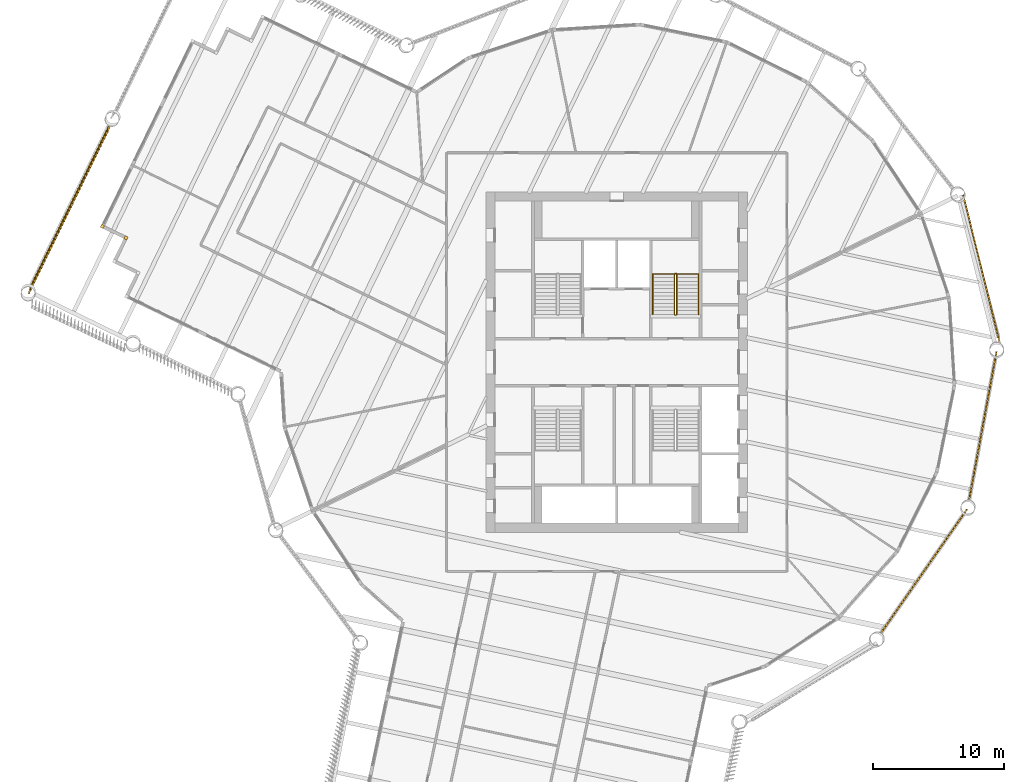
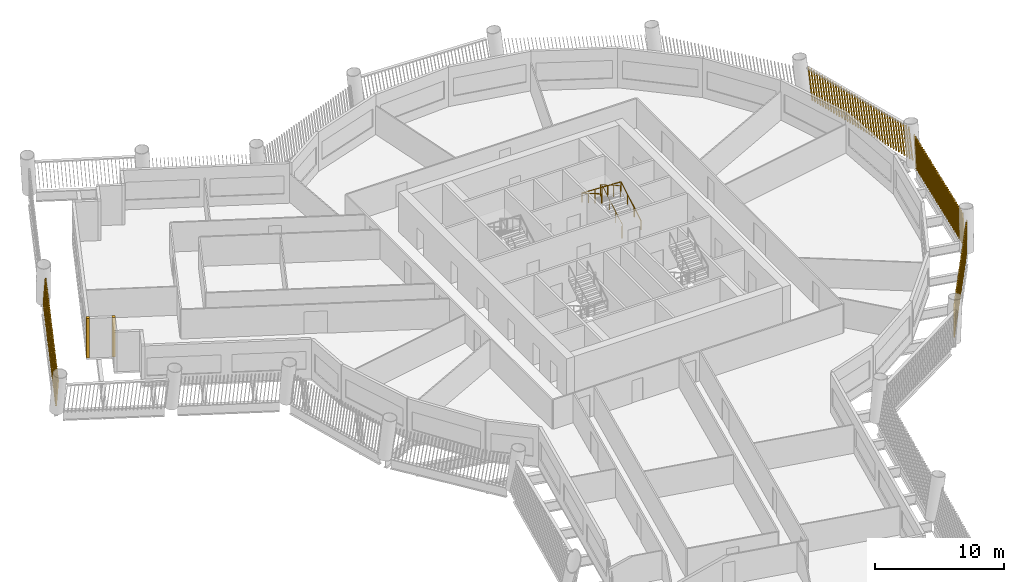
# One storey, part 13 of 15: 6 shading devices, 2 railings.
"""IFC4 building model written with IfcOpenShell, lengths in metres."""

from ifc_helpers import new_model, si_unit, direction, frame, frame_2d, origin, origin_2d, place, context, subcontext, project, spatial, rectangle, circle, composite_profile, extrude, material, type_object, element, save


model = new_model("IFC4")

# Units and contexts
model_context = context("Model", 3, precision=1e-05, world=origin(), true_north=direction((0.0, 1.0)))
body_context = subcontext(model_context, "Body", "Model", "MODEL_VIEW")
ifc_project = project(units=[si_unit("LENGTHUNIT", "METRE"), si_unit("AREAUNIT", "SQUARE_METRE"), si_unit("VOLUMEUNIT", "CUBIC_METRE"), si_unit("PLANEANGLEUNIT", "RADIAN"), si_unit("MASSUNIT", "GRAM", prefix="KILO")], contexts=[model_context])

# Site, building, storey
site_placement = place(None, origin())
site = spatial("IfcSite", under=ifc_project, at=site_placement, CompositionType="ELEMENT")
building_placement = place(site_placement, origin())
building = spatial("IfcBuilding", under=site, at=building_placement, Name="Tarsis Ring Headquarters", CompositionType="ELEMENT")
storey_placement = place(building_placement, frame((0.0, 0.0, 174.89990234375)))
storey = spatial("IfcBuildingStorey", under=building, at=storey_placement, Name="L40", CompositionType="ELEMENT", Elevation=174.89990234375)

# Railings
ifc_material_1 = material(Name="Steel S355", Category="steel")
railing_type_1 = type_object("IfcRailingType", Name="Core stair guard 1100", PredefinedType="GUARDRAIL", material=ifc_material_1)
railing_1_placement = place(storey_placement, frame((4.4599609375, 3.610107421875, 0.0)))
element("IfcRailing", 1, at=railing_1_placement, inside=storey, type_object=railing_type_1, Name="L40 ST2 stair guard 1", PredefinedType="GUARDRAIL", context=body_context, shape_type="SweptSolid", body=[
    extrude(circle(Radius=0.02392578125, at=origin_2d()), frame((0.0, 0.0, 1.076171875), z_axis=(1.0, 0.0, 0.0), x_axis=(0.0, 1.0, 0.0)), (0.0, 0.0, 1.0), 0.080078125),
    extrude(circle(Radius=0.02392578125, at=origin_2d()), frame((0.080078125, 0.0, 1.076171875), z_axis=(0.282336740067, 0.280959487676, 0.917250092119), x_axis=(-0.705375805398, 0.708833529934, 0.0)), (0.0, 0.0, 1.0), 0.17724609375),
    extrude(circle(Radius=0.02392578125, at=origin_2d()), frame((0.130126953125, 0.0498046875, 1.23876953125), z_axis=(0.0, 0.864890721111, 0.501960198159), x_axis=(-1.0, 0.0, 0.0)), (0.0, 0.0, 1.0), 3.561279296875),
    extrude(circle(Radius=0.02392578125, at=origin_2d()), frame((0.130126953125, 3.1298828125, 3.0263671875), z_axis=(-0.707106781187, 0.707106781187, 0.0), x_axis=(-0.707106781187, -0.707106781187, 0.0)), (0.0, 0.0, 1.0), 0.07080078125),
    extrude(circle(Radius=0.02392578125, at=origin_2d()), frame((0.080078125, 3.179931640625, 3.0263671875), z_axis=(-1.0, 0.0, 0.0), x_axis=(0.0, -1.0, 0.0)), (0.0, 0.0, 1.0), 0.080078125),
    extrude(circle(Radius=0.02392578125, at=origin_2d()), frame((0.0, 3.179931640625, 3.0263671875), z_axis=(-0.282583949758, -0.282583949758, 0.916674763849), x_axis=(0.707106781187, -0.707106781187, 0.0)), (0.0, 0.0, 1.0), 0.177001953125),
    extrude(circle(Radius=0.02392578125, at=origin_2d()), frame((-0.050048828125, 3.1298828125, 3.1884765625), z_axis=(0.0, -0.864890721111, 0.501960198159), x_axis=(1.0, 0.0, 0.0)), (0.0, 0.0, 1.0), 3.561279296875),
    extrude(circle(Radius=0.02099609375, at=origin_2d()), origin(), (0.0, 0.0, 1.0), 1.052001953125),
    extrude(circle(Radius=0.02099609375, at=origin_2d()), frame((0.080078125, 0.0, 0.0)), (0.0, 0.0, 1.0), 1.052001953125),
    extrude(circle(Radius=0.02099609375, at=origin_2d()), frame((0.130126953125, 0.0498046875, 0.16259765625)), (0.0, 0.0, 1.0), 1.052001953125),
    extrude(circle(Radius=0.02099609375, at=origin_2d()), frame((0.130126953125, 1.076416015625, 0.758544921875)), (0.0, 0.0, 1.0), 1.052001953125),
    extrude(circle(Radius=0.02099609375, at=origin_2d()), frame((0.130126953125, 2.103271484375, 1.354248046875)), (0.0, 0.0, 1.0), 1.052001953125),
    extrude(circle(Radius=0.02099609375, at=origin_2d()), frame((0.130126953125, 3.1298828125, 1.9501953125)), (0.0, 0.0, 1.0), 1.052001953125),
    extrude(circle(Radius=0.02099609375, at=origin_2d()), frame((0.080078125, 3.179931640625, 1.9501953125)), (0.0, 0.0, 1.0), 1.052001953125),
    extrude(circle(Radius=0.02099609375, at=origin_2d()), frame((0.0, 3.179931640625, 1.9501953125)), (0.0, 0.0, 1.0), 1.052001953125),
    extrude(circle(Radius=0.02099609375, at=origin_2d()), frame((-0.050048828125, 3.1298828125, 2.112548828125)), (0.0, 0.0, 1.0), 1.052001953125),
    extrude(circle(Radius=0.02099609375, at=origin_2d()), frame((-0.050048828125, 2.103271484375, 2.70849609375)), (0.0, 0.0, 1.0), 1.052001953125),
    extrude(circle(Radius=0.02099609375, at=origin_2d()), frame((-0.050048828125, 1.076416015625, 3.30419921875)), (0.0, 0.0, 1.0), 1.052001953125),
    extrude(circle(Radius=0.02099609375, at=origin_2d()), frame((-0.050048828125, 0.0498046875, 3.900146484375)), (0.0, 0.0, 1.0), 1.052001953125),
])
railing_type_2 = type_object("IfcRailingType", Name="Core stair handrail 900", PredefinedType="HANDRAIL", material=ifc_material_1)
railing_2_placement = place(storey_placement, frame((6.25, 3.659912109375, 0.16259765625)))
element("IfcRailing", 2, at=railing_2_placement, inside=storey, type_object=railing_type_2, Name="L40 ST2 stair handrail 1", PredefinedType="HANDRAIL", context=body_context, shape_type="SweptSolid", body=[
    extrude(circle(Radius=0.02392578125, at=origin_2d()), frame((0.0, 0.0, 0.8759765625), z_axis=(0.0, 0.864890721111, 0.501960198159), x_axis=(-1.0, 0.0, 0.0)), (0.0, 0.0, 1.0), 3.561279296875),
    extrude(circle(Radius=0.02392578125, at=origin_2d()), frame((0.0, 3.080078125, 2.66357421875), z_axis=(-0.998925869279, 0.0, 0.04633689335), x_axis=(0.0, -1.0, 0.0)), (0.0, 0.0, 1.0), 3.503662109375),
    extrude(circle(Radius=0.02392578125, at=origin_2d()), frame((-3.5, 3.080078125, 2.82568359375), z_axis=(0.0, -0.864890721111, 0.501960198159), x_axis=(1.0, 0.0, 0.0)), (0.0, 0.0, 1.0), 3.561279296875),
    extrude(circle(Radius=0.02099609375, at=origin_2d()), origin(), (0.0, 0.0, 1.0), 0.851806640625),
    extrude(circle(Radius=0.02099609375, at=origin_2d()), frame((0.0, 1.026611328125, 0.595947265625)), (0.0, 0.0, 1.0), 0.851806640625),
    extrude(circle(Radius=0.02099609375, at=origin_2d()), frame((0.0, 2.053466796875, 1.191650390625)), (0.0, 0.0, 1.0), 0.851806640625),
    extrude(circle(Radius=0.02099609375, at=origin_2d()), frame((0.0, 3.080078125, 1.78759765625)), (0.0, 0.0, 1.0), 0.851806640625),
    extrude(circle(Radius=0.02099609375, at=origin_2d()), frame((-1.166748046875, 3.080078125, 1.841796875)), (0.0, 0.0, 1.0), 0.851806640625),
    extrude(circle(Radius=0.02099609375, at=origin_2d()), frame((-2.333251953125, 3.080078125, 1.895751953125)), (0.0, 0.0, 1.0), 0.851806640625),
    extrude(circle(Radius=0.02099609375, at=origin_2d()), frame((-3.5, 3.080078125, 1.949951171875)), (0.0, 0.0, 1.0), 0.851806640625),
    extrude(circle(Radius=0.02099609375, at=origin_2d()), frame((-3.5, 2.053466796875, 2.5458984375)), (0.0, 0.0, 1.0), 0.851806640625),
    extrude(circle(Radius=0.02099609375, at=origin_2d()), frame((-3.5, 1.026611328125, 3.1416015625)), (0.0, 0.0, 1.0), 0.851806640625),
    extrude(circle(Radius=0.02099609375, at=origin_2d()), frame((-3.5, 0.0, 3.737548828125)), (0.0, 0.0, 1.0), 0.851806640625),
])

# Shading devices
ifc_material_2 = material(Name="Terracotta baguette", Category="masonry")
shading_device_type_1 = type_object("IfcShadingDeviceType", Name="Terracotta baguette screen", PredefinedType="USERDEFINED", material=ifc_material_2)
shading_device_1_placement = place(storey_placement, frame((20.10107421875, -20.829833984375, 0.0), z_axis=(0.0, 0.0, 1.0), x_axis=(0.570960390667, 0.820987520347, 0.0)))
element("IfcShadingDevice", 3, at=shading_device_1_placement, inside=storey, type_object=shading_device_type_1, Name="Baguette screen L40-08", ObjectType="Terracotta baguette screen", PredefinedType="USERDEFINED", context=body_context, shape_type="SweptSolid", body=[
    extrude(composite_profile([rectangle(XDim=0.06005859375, YDim=0.1201171875, at=frame_2d((0.030029296875, 0.0))), rectangle(XDim=0.06005859375, YDim=0.1201171875, at=frame_2d((0.33251953125, 0.0))), rectangle(XDim=0.06005859375, YDim=0.1201171875, at=frame_2d((0.634765625, 0.0))), rectangle(XDim=0.06005859375, YDim=0.1201171875, at=frame_2d((0.937255859375, 0.0))), rectangle(XDim=0.06005859375, YDim=0.1201171875, at=frame_2d((1.239501953125, 0.0))), rectangle(XDim=0.06005859375, YDim=0.1201171875, at=frame_2d((1.5419921875, 0.0))), rectangle(XDim=0.06005859375, YDim=0.1201171875, at=frame_2d((1.844482421875, 0.0))), rectangle(XDim=0.06005859375, YDim=0.1201171875, at=frame_2d((2.146728515625, 0.0))), rectangle(XDim=0.06005859375, YDim=0.1201171875, at=frame_2d((2.44921875, 0.0))), rectangle(XDim=0.06005859375, YDim=0.1201171875, at=frame_2d((2.751708984375, 0.0))), rectangle(XDim=0.06005859375, YDim=0.1201171875, at=frame_2d((3.053955078125, 0.0))), rectangle(XDim=0.06005859375, YDim=0.1201171875, at=frame_2d((3.3564453125, 0.0))), rectangle(XDim=0.06005859375, YDim=0.1201171875, at=frame_2d((3.65869140625, 0.0))), rectangle(XDim=0.06005859375, YDim=0.1201171875, at=frame_2d((3.961181640625, 0.0))), rectangle(XDim=0.06005859375, YDim=0.1201171875, at=frame_2d((4.263671875, 0.0))), rectangle(XDim=0.06005859375, YDim=0.1201171875, at=frame_2d((4.56591796875, 0.0))), rectangle(XDim=0.06005859375, YDim=0.1201171875, at=frame_2d((4.868408203125, 0.0))), rectangle(XDim=0.06005859375, YDim=0.1201171875, at=frame_2d((5.1708984375, 0.0))), rectangle(XDim=0.06005859375, YDim=0.1201171875, at=frame_2d((5.47314453125, 0.0))), rectangle(XDim=0.06005859375, YDim=0.1201171875, at=frame_2d((5.775634765625, 0.0))), rectangle(XDim=0.06005859375, YDim=0.1201171875, at=frame_2d((6.077880859375, 0.0))), rectangle(XDim=0.06005859375, YDim=0.1201171875, at=frame_2d((6.38037109375, 0.0))), rectangle(XDim=0.06005859375, YDim=0.1201171875, at=frame_2d((6.682861328125, 0.0))), rectangle(XDim=0.06005859375, YDim=0.1201171875, at=frame_2d((6.985107421875, 0.0))), rectangle(XDim=0.06005859375, YDim=0.1201171875, at=frame_2d((7.28759765625, 0.0))), rectangle(XDim=0.06005859375, YDim=0.1201171875, at=frame_2d((7.590087890625, 0.0))), rectangle(XDim=0.06005859375, YDim=0.1201171875, at=frame_2d((7.892333984375, 0.0))), rectangle(XDim=0.06005859375, YDim=0.1201171875, at=frame_2d((8.19482421875, 0.0))), rectangle(XDim=0.06005859375, YDim=0.1201171875, at=frame_2d((8.4970703125, 0.0))), rectangle(XDim=0.06005859375, YDim=0.1201171875, at=frame_2d((8.799560546875, 0.0))), rectangle(XDim=0.06005859375, YDim=0.1201171875, at=frame_2d((9.10205078125, 0.0))), rectangle(XDim=0.06005859375, YDim=0.1201171875, at=frame_2d((9.404296875, 0.0))), rectangle(XDim=0.06005859375, YDim=0.1201171875, at=frame_2d((9.706787109375, 0.0))), rectangle(XDim=0.06005859375, YDim=0.1201171875, at=frame_2d((10.00927734375, 0.0))), rectangle(XDim=0.06005859375, YDim=0.1201171875, at=frame_2d((10.3115234375, 0.0))), rectangle(XDim=0.06005859375, YDim=0.1201171875, at=frame_2d((10.614013671875, 0.0))), rectangle(XDim=0.06005859375, YDim=0.1201171875, at=frame_2d((10.916259765625, 0.0))), rectangle(XDim=0.06005859375, YDim=0.1201171875, at=frame_2d((11.21875, 0.0)))]), origin(), (0.149484817187, 0.001175842586, 0.988763321946), 2.983642578125),
])
shading_device_2_placement = place(storey_placement, frame((26.89990234375, -10.692626953125, 0.0), z_axis=(0.0, 0.0, 1.0), x_axis=(0.181786613421, 0.983331886448, 0.0)))
element("IfcShadingDevice", 4, at=shading_device_2_placement, inside=storey, type_object=shading_device_type_1, Name="Baguette screen L40-09", ObjectType="Terracotta baguette screen", PredefinedType="USERDEFINED", context=body_context, shape_type="SweptSolid", body=[
    extrude(composite_profile([rectangle(XDim=0.06005859375, YDim=0.1201171875, at=frame_2d((0.030029296875, 0.0))), rectangle(XDim=0.06005859375, YDim=0.1201171875, at=frame_2d((0.33251953125, 0.0))), rectangle(XDim=0.06005859375, YDim=0.1201171875, at=frame_2d((0.634765625, 0.0))), rectangle(XDim=0.06005859375, YDim=0.1201171875, at=frame_2d((0.937255859375, 0.0))), rectangle(XDim=0.06005859375, YDim=0.1201171875, at=frame_2d((1.239501953125, 0.0))), rectangle(XDim=0.06005859375, YDim=0.1201171875, at=frame_2d((1.5419921875, 0.0))), rectangle(XDim=0.06005859375, YDim=0.1201171875, at=frame_2d((1.844482421875, 0.0))), rectangle(XDim=0.06005859375, YDim=0.1201171875, at=frame_2d((2.146728515625, 0.0))), rectangle(XDim=0.06005859375, YDim=0.1201171875, at=frame_2d((2.44921875, 0.0))), rectangle(XDim=0.06005859375, YDim=0.1201171875, at=frame_2d((2.751708984375, 0.0))), rectangle(XDim=0.06005859375, YDim=0.1201171875, at=frame_2d((3.053955078125, 0.0))), rectangle(XDim=0.06005859375, YDim=0.1201171875, at=frame_2d((3.3564453125, 0.0))), rectangle(XDim=0.06005859375, YDim=0.1201171875, at=frame_2d((3.65869140625, 0.0))), rectangle(XDim=0.06005859375, YDim=0.1201171875, at=frame_2d((3.961181640625, 0.0))), rectangle(XDim=0.06005859375, YDim=0.1201171875, at=frame_2d((4.263671875, 0.0))), rectangle(XDim=0.06005859375, YDim=0.1201171875, at=frame_2d((4.56591796875, 0.0))), rectangle(XDim=0.06005859375, YDim=0.1201171875, at=frame_2d((4.868408203125, 0.0))), rectangle(XDim=0.06005859375, YDim=0.1201171875, at=frame_2d((5.1708984375, 0.0))), rectangle(XDim=0.06005859375, YDim=0.1201171875, at=frame_2d((5.47314453125, 0.0))), rectangle(XDim=0.06005859375, YDim=0.1201171875, at=frame_2d((5.775634765625, 0.0))), rectangle(XDim=0.06005859375, YDim=0.1201171875, at=frame_2d((6.077880859375, 0.0))), rectangle(XDim=0.06005859375, YDim=0.1201171875, at=frame_2d((6.38037109375, 0.0))), rectangle(XDim=0.06005859375, YDim=0.1201171875, at=frame_2d((6.682861328125, 0.0))), rectangle(XDim=0.06005859375, YDim=0.1201171875, at=frame_2d((6.985107421875, 0.0))), rectangle(XDim=0.06005859375, YDim=0.1201171875, at=frame_2d((7.28759765625, 0.0))), rectangle(XDim=0.06005859375, YDim=0.1201171875, at=frame_2d((7.590087890625, 0.0))), rectangle(XDim=0.06005859375, YDim=0.1201171875, at=frame_2d((7.892333984375, 0.0))), rectangle(XDim=0.06005859375, YDim=0.1201171875, at=frame_2d((8.19482421875, 0.0))), rectangle(XDim=0.06005859375, YDim=0.1201171875, at=frame_2d((8.4970703125, 0.0))), rectangle(XDim=0.06005859375, YDim=0.1201171875, at=frame_2d((8.799560546875, 0.0))), rectangle(XDim=0.06005859375, YDim=0.1201171875, at=frame_2d((9.10205078125, 0.0))), rectangle(XDim=0.06005859375, YDim=0.1201171875, at=frame_2d((9.404296875, 0.0))), rectangle(XDim=0.06005859375, YDim=0.1201171875, at=frame_2d((9.706787109375, 0.0))), rectangle(XDim=0.06005859375, YDim=0.1201171875, at=frame_2d((10.00927734375, 0.0))), rectangle(XDim=0.06005859375, YDim=0.1201171875, at=frame_2d((10.3115234375, 0.0))), rectangle(XDim=0.06005859375, YDim=0.1201171875, at=frame_2d((10.614013671875, 0.0))), rectangle(XDim=0.06005859375, YDim=0.1201171875, at=frame_2d((10.916259765625, 0.0))), rectangle(XDim=0.06005859375, YDim=0.1201171875, at=frame_2d((11.21875, 0.0)))]), origin(), (0.149483101996, 0.001174396575, 0.988763582971), 2.983642578125),
])
shading_device_3_placement = place(storey_placement, frame((29.280029296875, 1.435791015625, 0.0), z_axis=(0.0, 0.0, 1.0), x_axis=(-0.239696147585, 0.970851871948, 0.0)))
element("IfcShadingDevice", 5, at=shading_device_3_placement, inside=storey, type_object=shading_device_type_1, Name="Baguette screen L40-10", ObjectType="Terracotta baguette screen", PredefinedType="USERDEFINED", context=body_context, shape_type="SweptSolid", body=[
    extrude(composite_profile([rectangle(XDim=0.06005859375, YDim=0.1201171875, at=frame_2d((0.030029296875, 0.0))), rectangle(XDim=0.06005859375, YDim=0.1201171875, at=frame_2d((0.33251953125, 0.0))), rectangle(XDim=0.06005859375, YDim=0.1201171875, at=frame_2d((0.634765625, 0.0))), rectangle(XDim=0.06005859375, YDim=0.1201171875, at=frame_2d((0.937255859375, 0.0))), rectangle(XDim=0.06005859375, YDim=0.1201171875, at=frame_2d((1.239501953125, 0.0))), rectangle(XDim=0.06005859375, YDim=0.1201171875, at=frame_2d((1.5419921875, 0.0))), rectangle(XDim=0.06005859375, YDim=0.1201171875, at=frame_2d((1.844482421875, 0.0))), rectangle(XDim=0.06005859375, YDim=0.1201171875, at=frame_2d((2.146728515625, 0.0))), rectangle(XDim=0.06005859375, YDim=0.1201171875, at=frame_2d((2.44921875, 0.0))), rectangle(XDim=0.06005859375, YDim=0.1201171875, at=frame_2d((2.751708984375, 0.0))), rectangle(XDim=0.06005859375, YDim=0.1201171875, at=frame_2d((3.053955078125, 0.0))), rectangle(XDim=0.06005859375, YDim=0.1201171875, at=frame_2d((3.3564453125, 0.0))), rectangle(XDim=0.06005859375, YDim=0.1201171875, at=frame_2d((3.65869140625, 0.0))), rectangle(XDim=0.06005859375, YDim=0.1201171875, at=frame_2d((3.961181640625, 0.0))), rectangle(XDim=0.06005859375, YDim=0.1201171875, at=frame_2d((4.263671875, 0.0))), rectangle(XDim=0.06005859375, YDim=0.1201171875, at=frame_2d((4.56591796875, 0.0))), rectangle(XDim=0.06005859375, YDim=0.1201171875, at=frame_2d((4.868408203125, 0.0))), rectangle(XDim=0.06005859375, YDim=0.1201171875, at=frame_2d((5.1708984375, 0.0))), rectangle(XDim=0.06005859375, YDim=0.1201171875, at=frame_2d((5.47314453125, 0.0))), rectangle(XDim=0.06005859375, YDim=0.1201171875, at=frame_2d((5.775634765625, 0.0))), rectangle(XDim=0.06005859375, YDim=0.1201171875, at=frame_2d((6.077880859375, 0.0))), rectangle(XDim=0.06005859375, YDim=0.1201171875, at=frame_2d((6.38037109375, 0.0))), rectangle(XDim=0.06005859375, YDim=0.1201171875, at=frame_2d((6.682861328125, 0.0))), rectangle(XDim=0.06005859375, YDim=0.1201171875, at=frame_2d((6.985107421875, 0.0))), rectangle(XDim=0.06005859375, YDim=0.1201171875, at=frame_2d((7.28759765625, 0.0))), rectangle(XDim=0.06005859375, YDim=0.1201171875, at=frame_2d((7.590087890625, 0.0))), rectangle(XDim=0.06005859375, YDim=0.1201171875, at=frame_2d((7.892333984375, 0.0))), rectangle(XDim=0.06005859375, YDim=0.1201171875, at=frame_2d((8.19482421875, 0.0))), rectangle(XDim=0.06005859375, YDim=0.1201171875, at=frame_2d((8.4970703125, 0.0))), rectangle(XDim=0.06005859375, YDim=0.1201171875, at=frame_2d((8.799560546875, 0.0))), rectangle(XDim=0.06005859375, YDim=0.1201171875, at=frame_2d((9.10205078125, 0.0))), rectangle(XDim=0.06005859375, YDim=0.1201171875, at=frame_2d((9.404296875, 0.0))), rectangle(XDim=0.06005859375, YDim=0.1201171875, at=frame_2d((9.706787109375, 0.0))), rectangle(XDim=0.06005859375, YDim=0.1201171875, at=frame_2d((10.00927734375, 0.0))), rectangle(XDim=0.06005859375, YDim=0.1201171875, at=frame_2d((10.3115234375, 0.0))), rectangle(XDim=0.06005859375, YDim=0.1201171875, at=frame_2d((10.614013671875, 0.0))), rectangle(XDim=0.06005859375, YDim=0.1201171875, at=frame_2d((10.916259765625, 0.0))), rectangle(XDim=0.06005859375, YDim=0.1201171875, at=frame_2d((11.21875, 0.0)))]), origin(), (0.151413459525, 0.001189872609, 0.9884698015), 2.984619140625),
])
shading_device_4_placement = place(storey_placement, frame((-38.700439453125, 18.285888671875, 0.0), z_axis=(0.0, 0.0, 1.0), x_axis=(-0.4377432595, -0.899104805039, 0.0)))
element("IfcShadingDevice", 6, at=shading_device_4_placement, inside=storey, type_object=shading_device_type_1, Name="Baguette screen L40-18", ObjectType="Terracotta baguette screen", PredefinedType="USERDEFINED", context=body_context, shape_type="SweptSolid", body=[
    extrude(composite_profile([rectangle(XDim=0.06005859375, YDim=0.1201171875, at=frame_2d((0.030029296875, 0.0))), rectangle(XDim=0.06005859375, YDim=0.1201171875, at=frame_2d((0.33544921875, 0.0))), rectangle(XDim=0.06005859375, YDim=0.1201171875, at=frame_2d((0.640625, 0.0))), rectangle(XDim=0.06005859375, YDim=0.1201171875, at=frame_2d((0.946044921875, 0.0))), rectangle(XDim=0.06005859375, YDim=0.1201171875, at=frame_2d((1.25146484375, 0.0))), rectangle(XDim=0.06005859375, YDim=0.1201171875, at=frame_2d((1.556640625, 0.0))), rectangle(XDim=0.06005859375, YDim=0.1201171875, at=frame_2d((1.862060546875, 0.0))), rectangle(XDim=0.06005859375, YDim=0.1201171875, at=frame_2d((2.16748046875, 0.0))), rectangle(XDim=0.06005859375, YDim=0.1201171875, at=frame_2d((2.47265625, 0.0))), rectangle(XDim=0.06005859375, YDim=0.1201171875, at=frame_2d((2.778076171875, 0.0))), rectangle(XDim=0.06005859375, YDim=0.1201171875, at=frame_2d((3.08349609375, 0.0))), rectangle(XDim=0.06005859375, YDim=0.1201171875, at=frame_2d((3.388671875, 0.0))), rectangle(XDim=0.06005859375, YDim=0.1201171875, at=frame_2d((3.694091796875, 0.0))), rectangle(XDim=0.06005859375, YDim=0.1201171875, at=frame_2d((3.99951171875, 0.0))), rectangle(XDim=0.06005859375, YDim=0.1201171875, at=frame_2d((4.3046875, 0.0))), rectangle(XDim=0.06005859375, YDim=0.1201171875, at=frame_2d((4.610107421875, 0.0))), rectangle(XDim=0.06005859375, YDim=0.1201171875, at=frame_2d((4.91552734375, 0.0))), rectangle(XDim=0.06005859375, YDim=0.1201171875, at=frame_2d((5.220703125, 0.0))), rectangle(XDim=0.06005859375, YDim=0.1201171875, at=frame_2d((5.526123046875, 0.0))), rectangle(XDim=0.06005859375, YDim=0.1201171875, at=frame_2d((5.83154296875, 0.0))), rectangle(XDim=0.06005859375, YDim=0.1201171875, at=frame_2d((6.13671875, 0.0))), rectangle(XDim=0.06005859375, YDim=0.1201171875, at=frame_2d((6.442138671875, 0.0))), rectangle(XDim=0.06005859375, YDim=0.1201171875, at=frame_2d((6.74755859375, 0.0))), rectangle(XDim=0.06005859375, YDim=0.1201171875, at=frame_2d((7.052734375, 0.0))), rectangle(XDim=0.06005859375, YDim=0.1201171875, at=frame_2d((7.358154296875, 0.0))), rectangle(XDim=0.06005859375, YDim=0.1201171875, at=frame_2d((7.66357421875, 0.0))), rectangle(XDim=0.06005859375, YDim=0.1201171875, at=frame_2d((7.96875, 0.0))), rectangle(XDim=0.06005859375, YDim=0.1201171875, at=frame_2d((8.274169921875, 0.0))), rectangle(XDim=0.06005859375, YDim=0.1201171875, at=frame_2d((8.57958984375, 0.0))), rectangle(XDim=0.06005859375, YDim=0.1201171875, at=frame_2d((8.884765625, 0.0))), rectangle(XDim=0.06005859375, YDim=0.1201171875, at=frame_2d((9.190185546875, 0.0))), rectangle(XDim=0.06005859375, YDim=0.1201171875, at=frame_2d((9.49560546875, 0.0))), rectangle(XDim=0.06005859375, YDim=0.1201171875, at=frame_2d((9.80078125, 0.0))), rectangle(XDim=0.06005859375, YDim=0.1201171875, at=frame_2d((10.106201171875, 0.0))), rectangle(XDim=0.06005859375, YDim=0.1201171875, at=frame_2d((10.41162109375, 0.0))), rectangle(XDim=0.06005859375, YDim=0.1201171875, at=frame_2d((10.716796875, 0.0))), rectangle(XDim=0.06005859375, YDim=0.1201171875, at=frame_2d((11.022216796875, 0.0))), rectangle(XDim=0.06005859375, YDim=0.1201171875, at=frame_2d((11.32763671875, 0.0))), rectangle(XDim=0.06005859375, YDim=0.1201171875, at=frame_2d((11.6328125, 0.0))), rectangle(XDim=0.06005859375, YDim=0.1201171875, at=frame_2d((11.938232421875, 0.0))), rectangle(XDim=0.06005859375, YDim=0.1201171875, at=frame_2d((12.24365234375, 0.0))), rectangle(XDim=0.06005859375, YDim=0.1201171875, at=frame_2d((12.548828125, 0.0))), rectangle(XDim=0.06005859375, YDim=0.1201171875, at=frame_2d((12.854248046875, 0.0))), rectangle(XDim=0.06005859375, YDim=0.1201171875, at=frame_2d((13.15966796875, 0.0))), rectangle(XDim=0.06005859375, YDim=0.1201171875, at=frame_2d((13.46484375, 0.0))), rectangle(XDim=0.06005859375, YDim=0.1201171875, at=frame_2d((13.770263671875, 0.0)))]), origin(), (0.221714031438, 0.040129096009, 0.974285658273), 3.028076171875),
])
shading_device_type_2 = type_object("IfcShadingDeviceType", Name="Terracotta corner baguette 250x250", PredefinedType="USERDEFINED", material=ifc_material_2)
for number, where, z_axis, x_axis, name in (
    (7, (-39.298828125, 10.37451171875, 0.0), (0.0, 0.0, 1.0), (-0.437743532011, -0.899099883318, 0.0), "Corner baguette L40-37"),
    (8, (-37.500732421875, 9.4990234375, 0.0), (0.0, 0.0, 1.0), (0.89910011252, -0.437743061243, 0.0), "Corner baguette L40-38"),
):
    element("IfcShadingDevice", number, at=place(storey_placement, frame(where, z_axis=z_axis, x_axis=x_axis)), inside=storey, type_object=shading_device_type_2, Name=name, ObjectType="Terracotta corner baguette", PredefinedType="USERDEFINED", context=body_context, shape_type="SweptSolid", body=[
        extrude(rectangle(XDim=0.25, YDim=0.25, at=origin_2d()), origin(), (0.0, 0.0, 1.0), 3.739990234375),
    ])

save(model, "model.ifc")
